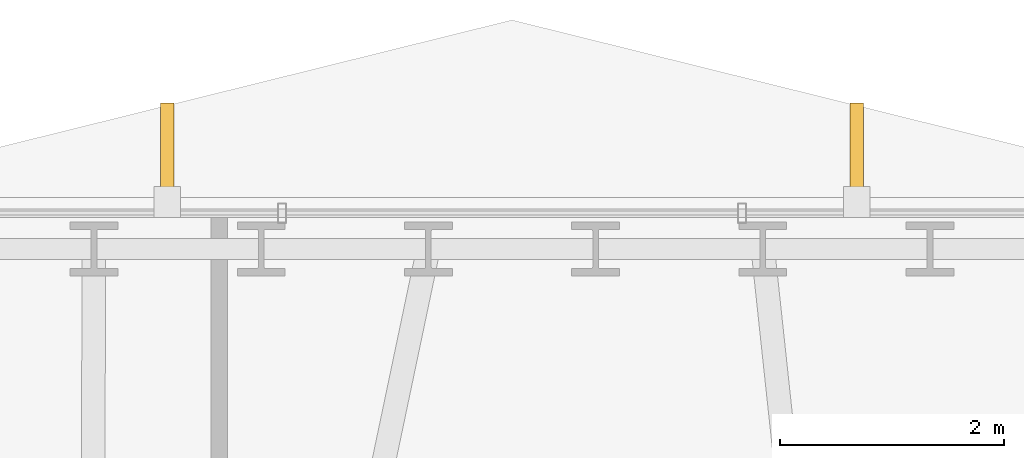
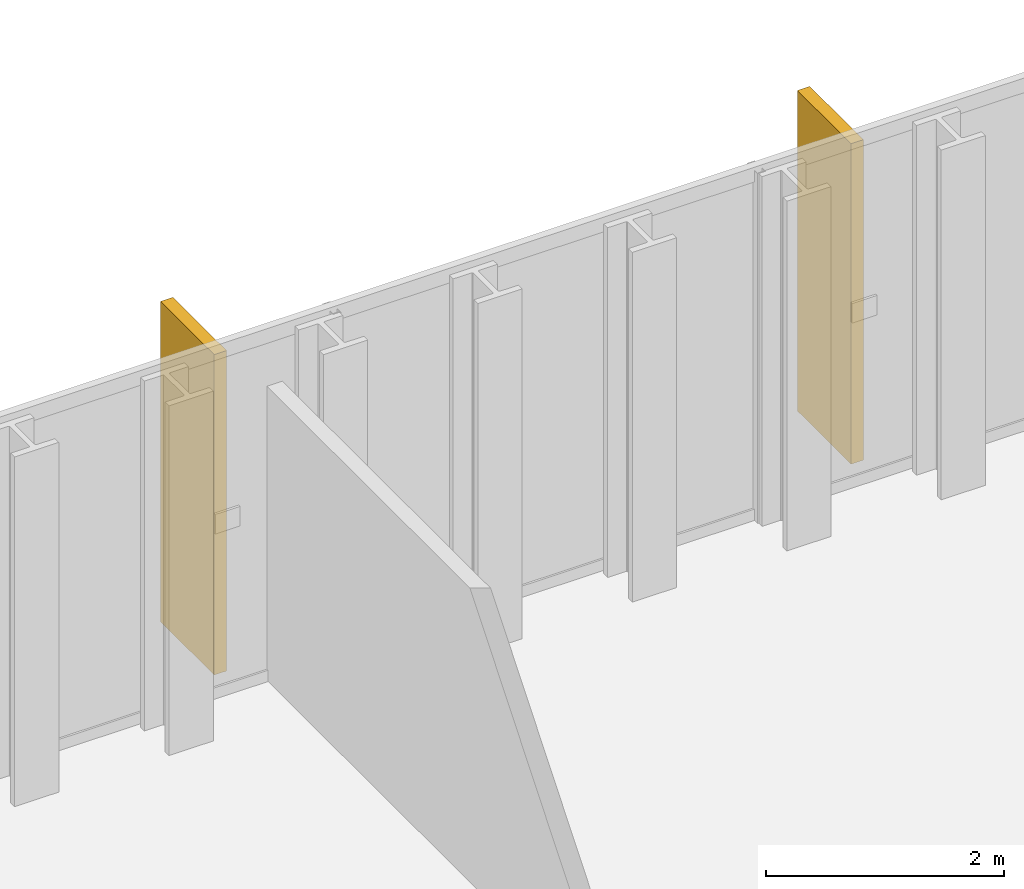
# One storey, part 36 of 36: 2 shading devices.
"""IFC4 building model written with IfcOpenShell, lengths in metres."""

from ifc_helpers import new_model, si_unit, direction, frame, origin, origin_2d, place, context, subcontext, project, spatial, rectangle, extrude, material, type_object, element, save


model = new_model("IFC4")

# Units and contexts
model_context = context("Model", 3, precision=1e-05, world=origin(), true_north=direction((0.0, 1.0)))
body_context = subcontext(model_context, "Body", "Model", "MODEL_VIEW")
ifc_project = project(units=[si_unit("LENGTHUNIT", "METRE"), si_unit("AREAUNIT", "SQUARE_METRE"), si_unit("VOLUMEUNIT", "CUBIC_METRE"), si_unit("PLANEANGLEUNIT", "RADIAN"), si_unit("MASSUNIT", "GRAM", prefix="KILO")], contexts=[model_context])

# Site, building, storey
site_placement = place(None, origin())
site = spatial("IfcSite", under=ifc_project, at=site_placement, CompositionType="ELEMENT")
building_placement = place(site_placement, origin())
building = spatial("IfcBuilding", under=site, at=building_placement, Name="Ndaravel Arena Tower", CompositionType="ELEMENT")
storey_placement = place(building_placement, frame((0.0, 0.0, 127.0)))
storey = spatial("IfcBuildingStorey", under=building, at=storey_placement, Name="L29", CompositionType="ELEMENT", Elevation=127.0)

# Shading devices
ifc_material = material(Name="Masonry", Category="masonry")
shading_device_type = type_object("IfcShadingDeviceType", Name="SHD-MAZERAS-FIN", PredefinedType="SHUTTER", material=ifc_material)
for number, where, z_axis, x_axis, name in (
    (1, (45.083251953125, 46.590087890625, 0.14990234375), (0.0, 0.0, 1.0), (0.0, 1.0, 0.0), "L29 Mazeras Stone Solar Fin E4.1"),
    (2, (38.916748046875, 46.590087890625, 0.14990234375), (0.0, 0.0, 1.0), (0.0, 1.0, 0.0), "L29 Mazeras Stone Solar Fin E4.2"),
):
    element("IfcShadingDevice", number, at=place(storey_placement, frame(where, z_axis=z_axis, x_axis=x_axis)), inside=storey, type_object=shading_device_type, Name=name, PredefinedType="SHUTTER", context=body_context, shape_type="SweptSolid", body=[
        extrude(rectangle(XDim=0.89990234375, YDim=0.1201171875, at=origin_2d()), origin(), (0.0, 0.0, 1.0), 3.280029296875),
    ])

save(model, "model.ifc")
